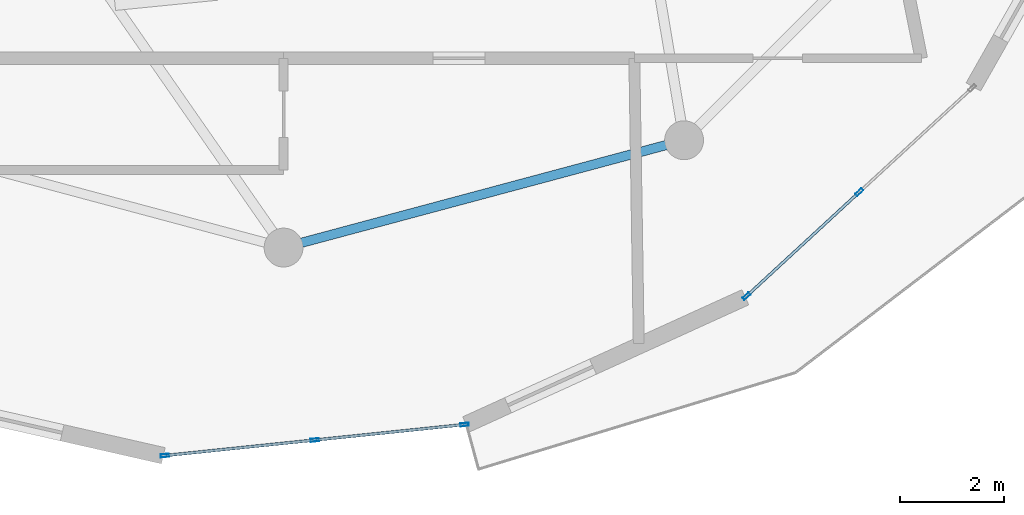
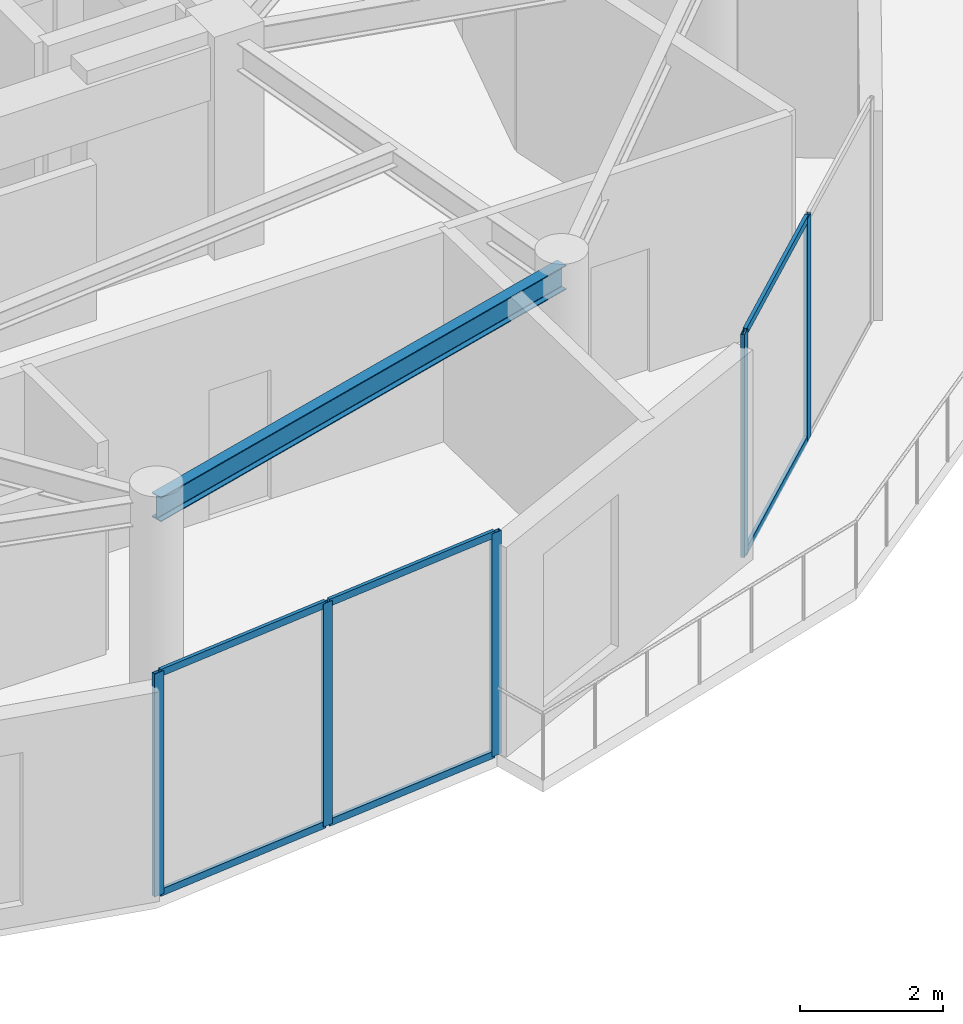
# One storey, part 5 of 22: 11 members, 1 beam, 2 elements without a shape of their own.
"""IFC4 building model written with IfcOpenShell, lengths in metres."""

from ifc_helpers import new_model, si_unit, direction, frame, origin, origin_2d, place, context, subcontext, project, spatial, hollow_rectangle, i_section, extrude, source, transform, mapped, material, layer, layer_set, material_profile, profile_set, type_object, element, aggregate, save


model = new_model("IFC4")

# Units and contexts
model_context = context("Model", 3, precision=1e-05, world=origin(), true_north=direction((0.0, 1.0)))
body_context = subcontext(model_context, "Body", "Model", "MODEL_VIEW")
ifc_project = project(units=[si_unit("LENGTHUNIT", "METRE"), si_unit("AREAUNIT", "SQUARE_METRE"), si_unit("VOLUMEUNIT", "CUBIC_METRE"), si_unit("PLANEANGLEUNIT", "RADIAN"), si_unit("MASSUNIT", "GRAM", prefix="KILO")], contexts=[model_context])

# Site, building, storey
site_placement = place(None, origin())
site = spatial("IfcSite", under=ifc_project, at=site_placement, CompositionType="ELEMENT")
building_placement = place(site_placement, origin())
building = spatial("IfcBuilding", under=site, at=building_placement, Name="Solvirekh Grand Hotel", CompositionType="ELEMENT")
storey_placement = place(building_placement, frame((0.0, 0.0, 289.60009765625)))
storey = spatial("IfcBuildingStorey", under=building, at=storey_placement, Name="L75", CompositionType="ELEMENT", Elevation=289.60009765625)

# Beam
ifc_material_1 = material(Name="Steel S355", Category="steel")
ifc_material_profile_1 = material_profile(ifc_material_1, i_section(OverallWidth=0.180908203125, OverallDepth=0.4169921875, WebThickness=0.010009765625, FlangeThickness=0.01611328125, FilletRadius=0.011962890625, at=origin_2d()), Name="W410X85")
ifc_profile_set_1 = profile_set([ifc_material_profile_1], Name="Steel S355")
beam_type = type_object("IfcBeamType", Name="Spandrel_Ring_W410", PredefinedType="SPANDREL", material=ifc_profile_set_1)
beam_placement = place(storey_placement, frame((0.0, -15.449951171875, 3.36181640625), z_axis=(0.965921616143, 0.258834757072, 0.0), x_axis=(-0.258834757072, 0.965921616143, 0.0)))
element("IfcBeam", 1, at=beam_placement, inside=storey, type_object=beam_type, Name="L75 perimeter spandrel beam 10", PredefinedType="SPANDREL", context=body_context, shape_type="SweptSolid", body=[
    extrude(i_section(OverallWidth=0.180908203125, OverallDepth=0.4169921875, WebThickness=0.010009765625, FlangeThickness=0.01611328125, FilletRadius=0.011962890625, at=origin_2d()), origin(), (0.0, 0.0, 1.0), 7.99755859375),
])

# Curtain wall, members
ifc_material_2 = material(Name="Anodized Bronze Aluminium 6063-T6", Category="aluminium")
ifc_layer = layer(ifc_material_2, 0.159912109375)
ifc_layer_set = layer_set([ifc_layer], Name="Anodized Bronze Aluminium 6063-T6")
curtain_wall_type = type_object("IfcCurtainWallType", Name="CW_Sys4_HighZoneFlushBronzeCW", PredefinedType="NOTDEFINED", material=ifc_layer_set)
curtain_wall_1_placement = place(storey_placement, origin())
curtain_wall_1 = element("IfcCurtainWall", 2, at=curtain_wall_1_placement, inside=storey, type_object=curtain_wall_type, Name="L75 unitised bronze-glass curtain wall CW-L75-C01", PredefinedType="NOTDEFINED")
ifc_material_profile_2 = material_profile(ifc_material_2, hollow_rectangle(XDim=0.054931640625, YDim=0.1201171875, WallThickness=0.00390625, at=origin_2d()), Name="ALU RHS 120X55X4")
ifc_profile_set_2 = profile_set([ifc_material_profile_2], Name="Anodized Bronze Aluminium 6063-T6")
member_type_1 = type_object("IfcMemberType", Name="CWTransom_Sys4", PredefinedType="USERDEFINED", material=ifc_profile_set_2)
shared_shape_1 = source(origin(), body_context, "Body", "SweptSolid", [
    extrude(hollow_rectangle(XDim=0.054931640625, YDim=0.1201171875, WallThickness=0.00390625, at=origin_2d()), origin(), (0.0, 0.0, 1.0), 2.845947265625),
])
member_1_placement = place(storey_placement, frame((-2.26025390625, -19.458740234375, 0.02734375), z_axis=(0.994678463566, 0.103027928826, 0.0), x_axis=(-0.103027928826, 0.994678463566, 0.0)))
member_1 = element("IfcMember", 3, at=member_1_placement, type_object=member_type_1, Name="U04 transom 1.1", ObjectType="TRANSOM", PredefinedType="USERDEFINED", context=body_context, shape_type="MappedRepresentation", body=[
    mapped(shared_shape_1, transform((0.0, 0.0, 0.0), x_axis=(1.0, 0.0, 0.0), y_axis=(0.0, 1.0, 0.0), z_axis=(0.0, 0.0, 1.0), scale=1.0)),
])
member_2_placement = place(storey_placement, frame((-2.26025390625, -19.458740234375, 3.7724609375), z_axis=(0.994678463566, 0.103027928826, 0.0), x_axis=(-0.103027928826, 0.994678463566, 0.0)))
member_2 = element("IfcMember", 4, at=member_2_placement, type_object=member_type_1, Name="U04 transom 1.2", ObjectType="TRANSOM", PredefinedType="USERDEFINED", context=body_context, shape_type="MappedRepresentation", body=[
    mapped(shared_shape_1, transform((0.0, 0.0, 0.0), x_axis=(1.0, 0.0, 0.0), y_axis=(0.0, 1.0, 0.0), z_axis=(0.0, 0.0, 1.0), scale=1.0)),
])

curtain_wall_2_placement = place(storey_placement, origin())
curtain_wall_2 = element("IfcCurtainWall", 5, at=curtain_wall_2_placement, inside=storey, type_object=curtain_wall_type, Name="L75 unitised bronze-glass curtain wall CW-L75-C03", PredefinedType="NOTDEFINED")
shared_shape_2 = source(origin(), body_context, "Body", "SweptSolid", [
    extrude(hollow_rectangle(XDim=0.054931640625, YDim=0.1201171875, WallThickness=0.00390625, at=origin_2d()), origin(), (0.0, 0.0, 1.0), 2.90234375),
])
member_3_placement = place(storey_placement, frame((8.94921875, -16.368408203125, 0.02734375), z_axis=(0.73500658029, 0.67805997296, 0.0), x_axis=(-0.67805997296, 0.73500658029, 0.0)))
member_3 = element("IfcMember", 6, at=member_3_placement, type_object=member_type_1, Name="U04 transom 1.1", ObjectType="TRANSOM", PredefinedType="USERDEFINED", context=body_context, shape_type="MappedRepresentation", body=[
    mapped(shared_shape_2, transform((0.0, 0.0, 0.0), x_axis=(1.0, 0.0, 0.0), y_axis=(0.0, 1.0, 0.0), z_axis=(0.0, 0.0, 1.0), scale=1.0)),
])
member_4_placement = place(storey_placement, frame((8.94921875, -16.368408203125, 3.7724609375), z_axis=(0.73500658029, 0.67805997296, 0.0), x_axis=(-0.67805997296, 0.73500658029, 0.0)))
member_4 = element("IfcMember", 7, at=member_4_placement, type_object=member_type_1, Name="U04 transom 1.2", ObjectType="TRANSOM", PredefinedType="USERDEFINED", context=body_context, shape_type="MappedRepresentation", body=[
    mapped(shared_shape_2, transform((0.0, 0.0, 0.0), x_axis=(1.0, 0.0, 0.0), y_axis=(0.0, 1.0, 0.0), z_axis=(0.0, 0.0, 1.0), scale=1.0)),
])

# Member
ifc_material_profile_3 = material_profile(ifc_material_2, hollow_rectangle(XDim=0.06005859375, YDim=0.159912109375, WallThickness=0.0048828125, at=origin_2d()), Name="ALU RHS 160X60X5")
ifc_profile_set_3 = profile_set([ifc_material_profile_3], Name="Anodized Bronze Aluminium 6063-T6")
member_type_2 = type_object("IfcMemberType", Name="CWMullion_Sys4", PredefinedType="MULLION", material=ifc_profile_set_3)
shared_shape_3 = source(origin(), body_context, "Body", "SweptSolid", [
    extrude(hollow_rectangle(XDim=0.06005859375, YDim=0.159912109375, WallThickness=0.0048828125, at=origin_2d()), origin(), (0.0, 0.0, 1.0), 3.7998046875),
])
member_5_placement = place(storey_placement, frame((-2.2900390625, -19.4619140625, 0.0), z_axis=(0.0, 0.0, 1.0), x_axis=(-0.10302696979, 0.994678562902, 0.0)))
member_5 = element("IfcMember", 8, at=member_5_placement, type_object=member_type_2, Name="U04 mullion 1", PredefinedType="MULLION", context=body_context, shape_type="MappedRepresentation", body=[
    mapped(shared_shape_3, transform((0.0, 0.0, 0.0), x_axis=(1.0, 0.0, 0.0), y_axis=(0.0, 1.0, 0.0), z_axis=(0.0, 0.0, 1.0), scale=1.0)),
])

member_6_placement = place(storey_placement, frame((0.6005859375, -19.16259765625, 0.0), z_axis=(0.0, 0.0, 1.0), x_axis=(-0.10302696979, 0.994678562902, 0.0)))
member_6 = element("IfcMember", 9, at=member_6_placement, type_object=member_type_2, Name="U04 mullion 2", PredefinedType="MULLION", context=body_context, shape_type="MappedRepresentation", body=[
    mapped(shared_shape_3, transform((0.0, 0.0, 0.0), x_axis=(1.0, 0.0, 0.0), y_axis=(0.0, 1.0, 0.0), z_axis=(0.0, 0.0, 1.0), scale=1.0)),
])

member_7_placement = place(storey_placement, frame((3.4912109375, -18.863037109375, 0.0), z_axis=(0.0, 0.0, 1.0), x_axis=(-0.10302696979, 0.994678562902, 0.0)))
member_7 = element("IfcMember", 10, at=member_7_placement, type_object=member_type_2, Name="U04 mullion 3", PredefinedType="MULLION", context=body_context, shape_type="MappedRepresentation", body=[
    mapped(shared_shape_3, transform((0.0, 0.0, 0.0), x_axis=(1.0, 0.0, 0.0), y_axis=(0.0, 1.0, 0.0), z_axis=(0.0, 0.0, 1.0), scale=1.0)),
])

member_8_placement = place(storey_placement, frame((8.927001953125, -16.388671875, 0.0), z_axis=(0.0, 0.0, 1.0), x_axis=(-0.678044115667, 0.73502120868, 0.0)))
member_8 = element("IfcMember", 11, at=member_8_placement, type_object=member_type_2, Name="U04 mullion 1", PredefinedType="MULLION", context=body_context, shape_type="MappedRepresentation", body=[
    mapped(shared_shape_3, transform((0.0, 0.0, 0.0), x_axis=(1.0, 0.0, 0.0), y_axis=(0.0, 1.0, 0.0), z_axis=(0.0, 0.0, 1.0), scale=1.0)),
])

member_9_placement = place(storey_placement, frame((11.1044921875, -14.3798828125, 0.0), z_axis=(0.0, 0.0, 1.0), x_axis=(-0.678044115667, 0.73502120868, 0.0)))
member_9 = element("IfcMember", 12, at=member_9_placement, type_object=member_type_2, Name="U04 mullion 2", PredefinedType="MULLION", context=body_context, shape_type="MappedRepresentation", body=[
    mapped(shared_shape_3, transform((0.0, 0.0, 0.0), x_axis=(1.0, 0.0, 0.0), y_axis=(0.0, 1.0, 0.0), z_axis=(0.0, 0.0, 1.0), scale=1.0)),
])

aggregate(curtain_wall_2, [member_8, member_9, member_3, member_4])

shared_shape_4 = source(origin(), body_context, "Body", "SweptSolid", [
    extrude(hollow_rectangle(XDim=0.054931640625, YDim=0.1201171875, WallThickness=0.00390625, at=origin_2d()), origin(), (0.0, 0.0, 1.0), 2.84619140625),
])
member_10_placement = place(storey_placement, frame((0.63037109375, -19.159423828125, 0.02734375), z_axis=(0.994679374037, 0.103019138342, 0.0), x_axis=(-0.103019138342, 0.994679374037, 0.0)))
member_10 = element("IfcMember", 13, at=member_10_placement, type_object=member_type_1, Name="U04 transom 2.1", ObjectType="TRANSOM", PredefinedType="USERDEFINED", context=body_context, shape_type="MappedRepresentation", body=[
    mapped(shared_shape_4, transform((0.0, 0.0, 0.0), x_axis=(1.0, 0.0, 0.0), y_axis=(0.0, 1.0, 0.0), z_axis=(0.0, 0.0, 1.0), scale=1.0)),
])

member_11_placement = place(storey_placement, frame((0.63037109375, -19.159423828125, 3.7724609375), z_axis=(0.994679374037, 0.103019138342, 0.0), x_axis=(-0.103019138342, 0.994679374037, 0.0)))
member_11 = element("IfcMember", 14, at=member_11_placement, type_object=member_type_1, Name="U04 transom 2.2", ObjectType="TRANSOM", PredefinedType="USERDEFINED", context=body_context, shape_type="MappedRepresentation", body=[
    mapped(shared_shape_4, transform((0.0, 0.0, 0.0), x_axis=(1.0, 0.0, 0.0), y_axis=(0.0, 1.0, 0.0), z_axis=(0.0, 0.0, 1.0), scale=1.0)),
])

aggregate(curtain_wall_1, [member_5, member_6, member_7, member_1, member_2, member_10, member_11])

save(model, "model.ifc")
